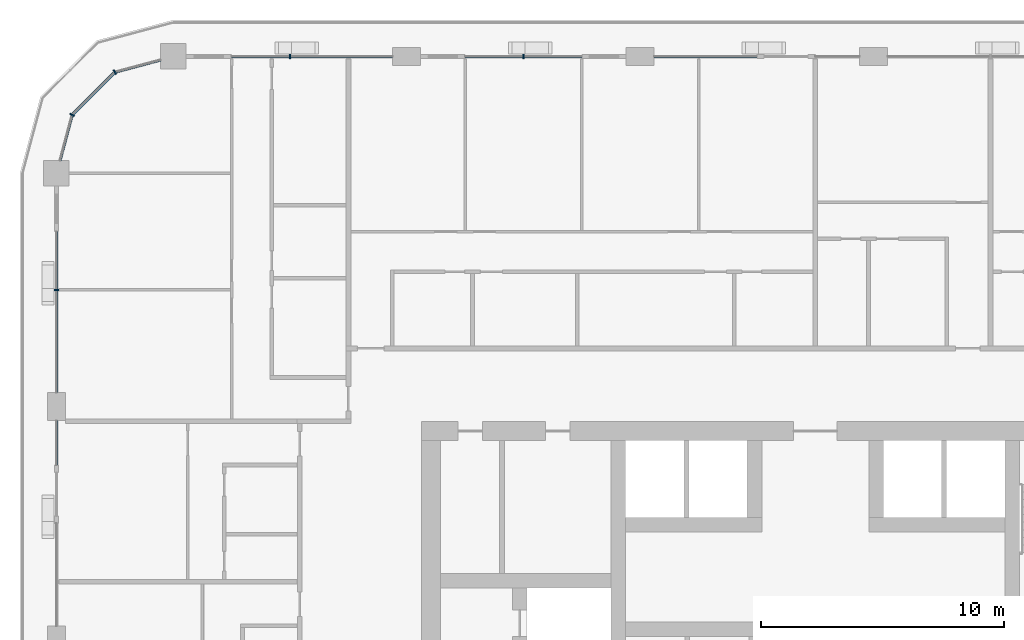
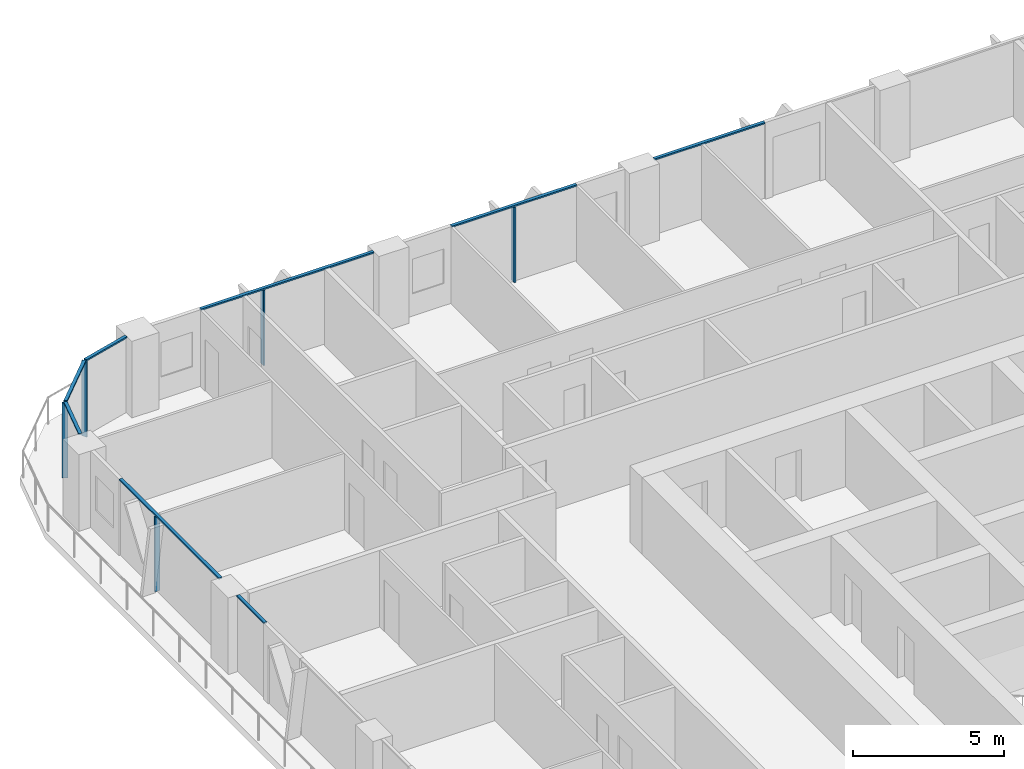
# One storey, part 5 of 22: 13 members, 6 elements without a shape of their own.
"""IFC4 building model written with IfcOpenShell, lengths in metres."""

from ifc_helpers import new_model, si_unit, direction, frame, origin, origin_2d, place, context, subcontext, project, spatial, rectangle, extrude, material, layer, layer_set, material_profile, profile_set, type_object, element, aggregate, save


model = new_model("IFC4")

# Units and contexts
model_context = context("Model", 3, precision=1e-05, world=origin(), true_north=direction((0.0, 1.0)))
body_context = subcontext(model_context, "Body", "Model", "MODEL_VIEW")
ifc_project = project(units=[si_unit("LENGTHUNIT", "METRE"), si_unit("AREAUNIT", "SQUARE_METRE"), si_unit("VOLUMEUNIT", "CUBIC_METRE"), si_unit("PLANEANGLEUNIT", "RADIAN"), si_unit("MASSUNIT", "GRAM", prefix="KILO")], contexts=[model_context])

# Site, building, storey
site_placement = place(None, origin())
site = spatial("IfcSite", under=ifc_project, at=site_placement, CompositionType="ELEMENT")
building_placement = place(site_placement, origin())
building = spatial("IfcBuilding", under=site, at=building_placement, Name="Madar Terraces", CompositionType="ELEMENT")
storey_placement = place(building_placement, frame((0.0, 0.0, 140.10009765625)))
storey = spatial("IfcBuildingStorey", under=building, at=storey_placement, Name="L36", CompositionType="ELEMENT", Elevation=140.10009765625)

# Curtain wall, member
ifc_material_1 = material(Name="Glass, ceramic frit dark grey, with black aluminium frame", Category="aluminium")
ifc_layer = layer(ifc_material_1, 0.199951171875)
ifc_layer_set = layer_set([ifc_layer], Name="Facade curtain wall, fritted glass")
curtain_wall_type = type_object("IfcCurtainWallType", Name="Facade curtain wall, fritted glass", PredefinedType="NOTDEFINED", material=ifc_layer_set)
curtain_wall_1_placement = place(storey_placement, origin())
curtain_wall_1 = element("IfcCurtainWall", 1, at=curtain_wall_1_placement, inside=storey, type_object=curtain_wall_type, Name="Outer skin curtain wall north bay 4", PredefinedType="NOTDEFINED")
ifc_material_2 = material(Name="Aluminium, black anodised", Category="aluminium")
ifc_material_profile_1 = material_profile(ifc_material_2, rectangle(XDim=0.199951171875, YDim=0.06005859375, at=origin_2d()), Name="Facade mullion 60x200")
ifc_profile_set_1 = profile_set([ifc_material_profile_1], Name="Aluminium, black anodised")
member_type_1 = type_object("IfcMemberType", Name="Facade mullion 60x200", PredefinedType="MULLION", material=ifc_profile_set_1)
member_1_placement = place(storey_placement, frame((19.199951171875, 52.800048828125, 0.0), z_axis=(0.0, 0.0, 1.0), x_axis=(0.0, -1.0, 0.0)))
member_1 = element("IfcMember", 2, at=member_1_placement, type_object=member_type_1, Name="Mullion 1", PredefinedType="MULLION", context=body_context, shape_type="SweptSolid", body=[
    extrude(rectangle(XDim=0.199951171875, YDim=0.06005859375, at=origin_2d()), origin(), (0.0, 0.0, 1.0), 3.039794921875),
])

curtain_wall_2_placement = place(storey_placement, origin())
curtain_wall_2 = element("IfcCurtainWall", 3, at=curtain_wall_2_placement, inside=storey, type_object=curtain_wall_type, Name="Outer skin curtain wall north bay 5", PredefinedType="NOTDEFINED")
member_2_placement = place(storey_placement, frame((9.60009765625, 52.800048828125, 0.0), z_axis=(0.0, 0.0, 1.0), x_axis=(0.0, -1.0, 0.0)))
member_2 = element("IfcMember", 4, at=member_2_placement, type_object=member_type_1, Name="Mullion 1", PredefinedType="MULLION", context=body_context, shape_type="SweptSolid", body=[
    extrude(rectangle(XDim=0.199951171875, YDim=0.06005859375, at=origin_2d()), origin(), (0.0, 0.0, 1.0), 3.039794921875),
])

curtain_wall_3_placement = place(storey_placement, origin())
curtain_wall_3 = element("IfcCurtainWall", 5, at=curtain_wall_3_placement, inside=storey, type_object=curtain_wall_type, Name="Outer skin curtain wall west bay 1", PredefinedType="NOTDEFINED")
member_3_placement = place(storey_placement, frame((0.0, 43.199951171875, 0.0), z_axis=(0.0, 0.0, 1.0), x_axis=(1.0, 0.0, 0.0)))
member_3 = element("IfcMember", 6, at=member_3_placement, type_object=member_type_1, Name="Mullion 1", PredefinedType="MULLION", context=body_context, shape_type="SweptSolid", body=[
    extrude(rectangle(XDim=0.199951171875, YDim=0.06005859375, at=origin_2d()), origin(), (0.0, 0.0, 1.0), 3.039794921875),
])

# Curtain wall, members
curtain_wall_4_placement = place(storey_placement, origin())
curtain_wall_4 = element("IfcCurtainWall", 7, at=curtain_wall_4_placement, inside=storey, type_object=curtain_wall_type, Name="Outer skin curtain wall north-west corner", PredefinedType="NOTDEFINED")
member_4_placement = place(storey_placement, frame((2.39990234375, 52.156982421875, 0.0), z_axis=(0.0, 0.0, 1.0), x_axis=(0.499999989586, -0.866025409797, 0.0)))
member_4 = element("IfcMember", 8, at=member_4_placement, type_object=member_type_1, Name="Mullion 1", PredefinedType="MULLION", context=body_context, shape_type="SweptSolid", body=[
    extrude(rectangle(XDim=0.199951171875, YDim=0.06005859375, at=origin_2d()), origin(), (0.0, 0.0, 1.0), 3.039794921875),
])
member_5_placement = place(storey_placement, frame((0.64306640625, 50.39990234375, 0.0), z_axis=(0.0, 0.0, 1.0), x_axis=(0.866025409797, -0.499999989586, 0.0)))
member_5 = element("IfcMember", 9, at=member_5_placement, type_object=member_type_1, Name="Mullion 2", PredefinedType="MULLION", context=body_context, shape_type="SweptSolid", body=[
    extrude(rectangle(XDim=0.199951171875, YDim=0.06005859375, at=origin_2d()), origin(), (0.0, 0.0, 1.0), 3.039794921875),
])

# Curtain wall, member
curtain_wall_5_placement = place(storey_placement, origin())
curtain_wall_5 = element("IfcCurtainWall", 10, at=curtain_wall_5_placement, inside=storey, type_object=curtain_wall_type, Name="Outer skin curtain wall north bay 3", PredefinedType="NOTDEFINED")
ifc_material_3 = material(Name="Aluminium, black anodised", Category="aluminium")
ifc_material_profile_2 = material_profile(ifc_material_3, rectangle(XDim=0.1201171875, YDim=0.06005859375, at=origin_2d()), Name="Facade transom 60x120")
ifc_profile_set_2 = profile_set([ifc_material_profile_2], Name="Aluminium, black anodised")
member_type_2 = type_object("IfcMemberType", Name="Facade transom 60x120", PredefinedType="USERDEFINED", material=ifc_profile_set_2)
member_6_placement = place(storey_placement, frame((28.800048828125, 52.800048828125, 3.06982421875), z_axis=(-1.0, 0.0, 0.0), x_axis=(0.0, -1.0, 0.0)))
member_6 = element("IfcMember", 11, at=member_6_placement, type_object=member_type_2, Name="Transom 2", ObjectType="TRANSOM", PredefinedType="USERDEFINED", context=body_context, shape_type="SweptSolid", body=[
    extrude(rectangle(XDim=0.1201171875, YDim=0.06005859375, at=origin_2d()), origin(), (0.0, 0.0, 1.0), 4.22509765625),
])
aggregate(curtain_wall_5, [member_6])

# Member
member_7_placement = place(storey_placement, frame((21.60009765625, 52.800048828125, 3.06982421875), z_axis=(-1.0, 0.0, 0.0), x_axis=(0.0, -1.0, 0.0)))
member_7 = element("IfcMember", 12, at=member_7_placement, type_object=member_type_2, Name="Transom 1", ObjectType="TRANSOM", PredefinedType="USERDEFINED", context=body_context, shape_type="SweptSolid", body=[
    extrude(rectangle(XDim=0.1201171875, YDim=0.06005859375, at=origin_2d()), origin(), (0.0, 0.0, 1.0), 4.800048828125),
])

aggregate(curtain_wall_1, [member_1, member_7])

member_8_placement = place(storey_placement, frame((13.824951171875, 52.800048828125, 3.06982421875), z_axis=(-1.0, 0.0, 0.0), x_axis=(0.0, -1.0, 0.0)))
member_8 = element("IfcMember", 13, at=member_8_placement, type_object=member_type_2, Name="Transom 1", ObjectType="TRANSOM", PredefinedType="USERDEFINED", context=body_context, shape_type="SweptSolid", body=[
    extrude(rectangle(XDim=0.1201171875, YDim=0.06005859375, at=origin_2d()), origin(), (0.0, 0.0, 1.0), 6.625),
])

aggregate(curtain_wall_2, [member_2, member_8])

member_9_placement = place(storey_placement, frame((0.0, 45.60009765625, 3.06982421875), z_axis=(0.0, -1.0, 0.0), x_axis=(1.0, 0.0, 0.0)))
member_9 = element("IfcMember", 14, at=member_9_placement, type_object=member_type_2, Name="Transom 1", ObjectType="TRANSOM", PredefinedType="USERDEFINED", context=body_context, shape_type="SweptSolid", body=[
    extrude(rectangle(XDim=0.1201171875, YDim=0.06005859375, at=origin_2d()), origin(), (0.0, 0.0, 1.0), 6.625),
])

aggregate(curtain_wall_3, [member_3, member_9])

# Curtain wall, member
curtain_wall_6_placement = place(storey_placement, origin())
curtain_wall_6 = element("IfcCurtainWall", 15, at=curtain_wall_6_placement, inside=storey, type_object=curtain_wall_type, Name="Outer skin curtain wall west bay 2", PredefinedType="NOTDEFINED")
member_10_placement = place(storey_placement, frame((0.0, 37.824951171875, 3.06982421875), z_axis=(0.0, -1.0, 0.0), x_axis=(1.0, 0.0, 0.0)))
member_10 = element("IfcMember", 16, at=member_10_placement, type_object=member_type_2, Name="Transom 1", ObjectType="TRANSOM", PredefinedType="USERDEFINED", context=body_context, shape_type="SweptSolid", body=[
    extrude(rectangle(XDim=0.1201171875, YDim=0.06005859375, at=origin_2d()), origin(), (0.0, 0.0, 1.0), 1.824951171875),
])
aggregate(curtain_wall_6, [member_10])

# Member
member_11_placement = place(storey_placement, frame((4.27490234375, 52.659423828125, 3.06982421875), z_axis=(-0.965924671538, -0.258823354654, 0.0), x_axis=(0.258823354654, -0.965924671538, 0.0)))
member_11 = element("IfcMember", 17, at=member_11_placement, type_object=member_type_2, Name="Transom 1", ObjectType="TRANSOM", PredefinedType="USERDEFINED", context=body_context, shape_type="SweptSolid", body=[
    extrude(rectangle(XDim=0.1201171875, YDim=0.06005859375, at=origin_2d()), origin(), (0.0, 0.0, 1.0), 1.9111328125),
])

member_12_placement = place(storey_placement, frame((2.37890625, 52.1357421875, 3.06982421875), z_axis=(-0.707106781187, -0.707106781187, 0.0), x_axis=(0.707106781187, -0.707106781187, 0.0)))
member_12 = element("IfcMember", 18, at=member_12_placement, type_object=member_type_2, Name="Transom 2", ObjectType="TRANSOM", PredefinedType="USERDEFINED", context=body_context, shape_type="SweptSolid", body=[
    extrude(rectangle(XDim=0.1201171875, YDim=0.06005859375, at=origin_2d()), origin(), (0.0, 0.0, 1.0), 2.4248046875),
])

member_13_placement = place(storey_placement, frame((0.63525390625, 50.37109375, 3.06982421875), z_axis=(-0.25879142023, -0.965933227928, 0.0), x_axis=(0.965933227928, -0.25879142023, 0.0)))
member_13 = element("IfcMember", 19, at=member_13_placement, type_object=member_type_2, Name="Transom 3", ObjectType="TRANSOM", PredefinedType="USERDEFINED", context=body_context, shape_type="SweptSolid", body=[
    extrude(rectangle(XDim=0.1201171875, YDim=0.06005859375, at=origin_2d()), origin(), (0.0, 0.0, 1.0), 1.911376953125),
])

aggregate(curtain_wall_4, [member_4, member_11, member_5, member_12, member_13])

save(model, "model.ifc")
